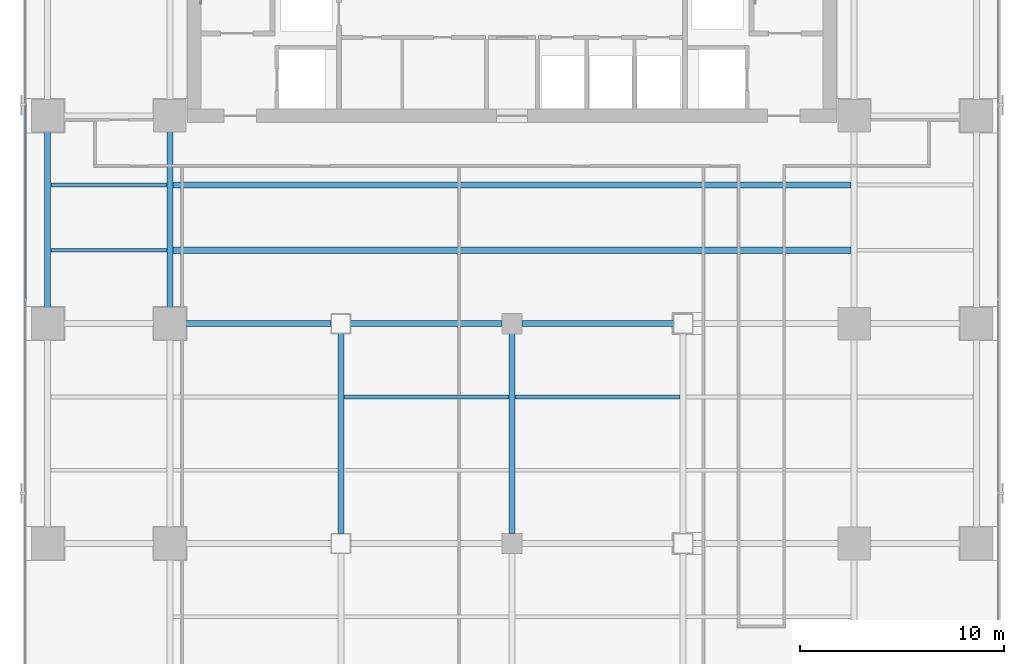
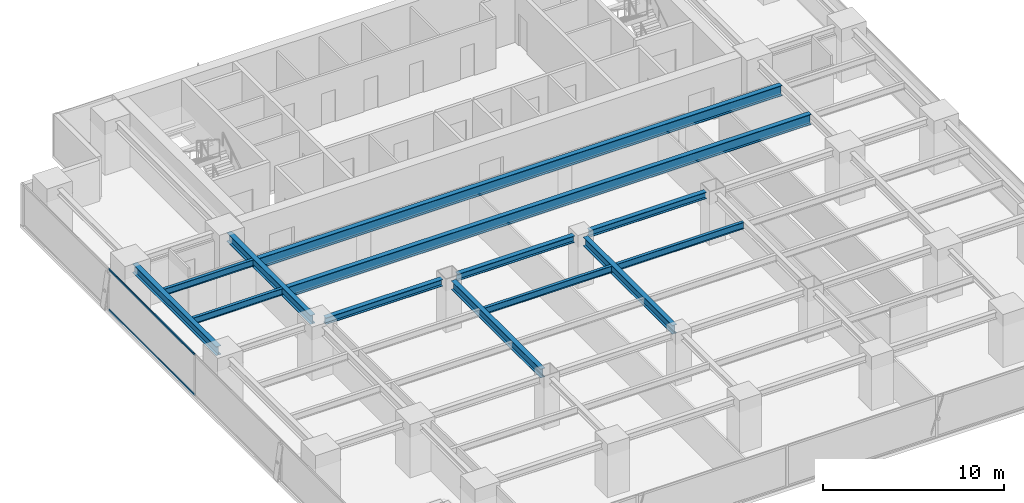
# One storey, part 8 of 27: 13 beams, 2 members, 1 element without a shape of its own.
"""IFC4 building model written with IfcOpenShell, lengths in metres."""

from ifc_helpers import new_model, si_unit, direction, frame, origin, origin_2d, place, context, subcontext, project, spatial, hollow_rectangle, i_section, extrude, source, transform, mapped, material, layer, layer_set, material_profile, profile_set, type_object, element, aggregate, save


model = new_model("IFC4")

# Units and contexts
model_context = context("Model", 3, precision=1e-05, world=origin(), true_north=direction((0.0, 1.0)))
body_context = subcontext(model_context, "Body", "Model", "MODEL_VIEW")
ifc_project = project(units=[si_unit("LENGTHUNIT", "METRE"), si_unit("AREAUNIT", "SQUARE_METRE"), si_unit("VOLUMEUNIT", "CUBIC_METRE"), si_unit("PLANEANGLEUNIT", "RADIAN"), si_unit("MASSUNIT", "GRAM", prefix="KILO")], contexts=[model_context])

# Site, building, storey
site_placement = place(None, origin())
site = spatial("IfcSite", under=ifc_project, at=site_placement, CompositionType="ELEMENT")
building_placement = place(site_placement, origin())
building = spatial("IfcBuilding", under=site, at=building_placement, Name="Sumidabori Civic Tower", CompositionType="ELEMENT")
storey_placement = place(building_placement, frame((0.0, 0.0, 138.800048828125)))
storey = spatial("IfcBuildingStorey", under=building, at=storey_placement, Name="L35", CompositionType="ELEMENT", Elevation=138.800048828125)

# Beams
ifc_material_1 = material(Name="Steel SN490", Category="steel")
ifc_material_profile_1 = material_profile(ifc_material_1, i_section(OverallWidth=0.300048828125, OverallDepth=0.60009765625, WebThickness=0.015380859375, FlangeThickness=0.030029296875, at=origin_2d()), Name="HE 600 B")
ifc_profile_set_1 = profile_set([ifc_material_profile_1], Name="Steel SN490")
beam_type_1 = type_object("IfcBeamType", Name="BM-GIRD-600", PredefinedType="BEAM", material=ifc_profile_set_1)
shared_shape_1 = source(origin(), body_context, "Body", "SweptSolid", [
    extrude(i_section(OverallWidth=0.300048828125, OverallDepth=0.60009765625, WebThickness=0.015380859375, FlangeThickness=0.030029296875, at=origin_2d()), origin(), (0.0, 0.0, 1.0), 9.840087890625),
])
for number, where, z_axis, x_axis, name in (
    (1, (-8.39990234375, -10.320068359375, 3.079833984375), (0.0, 1.0, 0.0), (-1.0, 0.0, 0.0), "Primary Girder L35 GY-27"),
    (2, (0.0, -10.320068359375, 3.079833984375), (0.0, 1.0, 0.0), (-1.0, 0.0, 0.0), "Primary Girder L35 GY-29"),
):
    element("IfcBeam", number, at=place(storey_placement, frame(where, z_axis=z_axis, x_axis=x_axis)), inside=storey, type_object=beam_type_1, Name=name, PredefinedType="BEAM", context=body_context, shape_type="MappedRepresentation", body=[
        mapped(shared_shape_1, transform((0.0, 0.0, 0.0), x_axis=(1.0, 0.0, 0.0), y_axis=(0.0, 1.0, 0.0), z_axis=(0.0, 0.0, 1.0), scale=1.0)),
    ])
shared_shape_2 = source(origin(), body_context, "Body", "SweptSolid", [
    extrude(i_section(OverallWidth=0.300048828125, OverallDepth=0.60009765625, WebThickness=0.015380859375, FlangeThickness=0.030029296875, at=origin_2d()), origin(), (0.0, 0.0, 1.0), 9.239990234375),
])
for number, where, z_axis, x_axis, name in (
    (3, (-22.800048828125, 0.47998046875, 3.079833984375), (0.0, 1.0, 0.0), (-1.0, 0.0, 0.0), "Primary Girder L35 GY-20"),
    (4, (-16.800048828125, 0.47998046875, 3.079833984375), (0.0, 1.0, 0.0), (-1.0, 0.0, 0.0), "Primary Girder L35 GY-24"),
):
    element("IfcBeam", number, at=place(storey_placement, frame(where, z_axis=z_axis, x_axis=x_axis)), inside=storey, type_object=beam_type_1, Name=name, PredefinedType="BEAM", context=body_context, shape_type="MappedRepresentation", body=[
        mapped(shared_shape_2, transform((0.0, 0.0, 0.0), x_axis=(1.0, 0.0, 0.0), y_axis=(0.0, 1.0, 0.0), z_axis=(0.0, 0.0, 1.0), scale=1.0)),
    ])
ifc_material_profile_2 = material_profile(ifc_material_1, i_section(OverallWidth=0.300048828125, OverallDepth=0.699951171875, WebThickness=0.01708984375, FlangeThickness=0.031982421875, at=origin_2d()), Name="HE 700 B")
ifc_profile_set_2 = profile_set([ifc_material_profile_2], Name="Steel SN490")
beam_type_2 = type_object("IfcBeamType", Name="BM-GIRD-700", PredefinedType="BEAM", material=ifc_profile_set_2)
shared_shape_3 = source(origin(), body_context, "Body", "SweptSolid", [
    extrude(i_section(OverallWidth=0.300048828125, OverallDepth=0.699951171875, WebThickness=0.01708984375, FlangeThickness=0.031982421875, at=origin_2d()), origin(), (0.0, 0.0, 1.0), 33.2998046875),
])
for number, where, z_axis, x_axis, name in (
    (5, (-16.64990234375, 3.60009765625, 3.030029296875), (1.0, 0.0, 0.0), (0.0, 1.0, 0.0), "North Bay Floor Beam L35 JSTN-47"),
    (6, (-16.64990234375, 6.800048828125, 3.030029296875), (1.0, 0.0, 0.0), (0.0, 1.0, 0.0), "North Bay Floor Beam L35 JSTN-48"),
):
    element("IfcBeam", number, at=place(storey_placement, frame(where, z_axis=z_axis, x_axis=x_axis)), inside=storey, type_object=beam_type_2, Name=name, PredefinedType="BEAM", context=body_context, shape_type="MappedRepresentation", body=[
        mapped(shared_shape_3, transform((0.0, 0.0, 0.0), x_axis=(1.0, 0.0, 0.0), y_axis=(0.0, 1.0, 0.0), z_axis=(0.0, 0.0, 1.0), scale=1.0)),
    ])
ifc_material_profile_3 = material_profile(ifc_material_1, i_section(OverallWidth=0.18994140625, OverallDepth=0.449951171875, WebThickness=0.009521484375, FlangeThickness=0.0146484375, at=origin_2d()), Name="IPE 450")
ifc_profile_set_3 = profile_set([ifc_material_profile_3], Name="Steel SN490")
beam_type_3 = type_object("IfcBeamType", Name="BM-JST-450", PredefinedType="JOIST", material=ifc_profile_set_3)
shared_shape_4 = source(origin(), body_context, "Body", "SweptSolid", [
    extrude(i_section(OverallWidth=0.18994140625, OverallDepth=0.449951171875, WebThickness=0.009521484375, FlangeThickness=0.0146484375, at=origin_2d()), origin(), (0.0, 0.0, 1.0), 5.699951171875),
])
for number, where, z_axis, x_axis, name in (
    (7, (-22.64990234375, 3.60009765625, 3.155029296875), (1.0, 0.0, 0.0), (0.0, 1.0, 0.0), "Outer Bay Floor Joist L35 JSTO-43"),
    (8, (-22.64990234375, 6.800048828125, 3.155029296875), (1.0, 0.0, 0.0), (0.0, 1.0, 0.0), "Outer Bay Floor Joist L35 JSTO-45"),
):
    element("IfcBeam", number, at=place(storey_placement, frame(where, z_axis=z_axis, x_axis=x_axis)), inside=storey, type_object=beam_type_3, Name=name, PredefinedType="JOIST", context=body_context, shape_type="MappedRepresentation", body=[
        mapped(shared_shape_4, transform((0.0, 0.0, 0.0), x_axis=(1.0, 0.0, 0.0), y_axis=(0.0, 1.0, 0.0), z_axis=(0.0, 0.0, 1.0), scale=1.0)),
    ])
shared_shape_5 = source(origin(), body_context, "Body", "SweptSolid", [
    extrude(i_section(OverallWidth=0.18994140625, OverallDepth=0.449951171875, WebThickness=0.009521484375, FlangeThickness=0.0146484375, at=origin_2d()), origin(), (0.0, 0.0, 1.0), 8.10009765625),
])
for number, where, z_axis, x_axis, name in (
    (9, (-8.25, -3.60009765625, 3.155029296875), (1.0, 0.0, 0.0), (0.0, 1.0, 0.0), "South Bay Floor Joist L35 JSTS-58"),
    (10, (0.14990234375, -3.60009765625, 3.155029296875), (1.0, 0.0, 0.0), (0.0, 1.0, 0.0), "South Bay Floor Joist L35 JSTS-59"),
):
    element("IfcBeam", number, at=place(storey_placement, frame(where, z_axis=z_axis, x_axis=x_axis)), inside=storey, type_object=beam_type_3, Name=name, PredefinedType="JOIST", context=body_context, shape_type="MappedRepresentation", body=[
        mapped(shared_shape_5, transform((0.0, 0.0, 0.0), x_axis=(1.0, 0.0, 0.0), y_axis=(0.0, 1.0, 0.0), z_axis=(0.0, 0.0, 1.0), scale=1.0)),
    ])
ifc_material_profile_4 = material_profile(ifc_material_1, i_section(OverallWidth=0.300048828125, OverallDepth=0.449951171875, WebThickness=0.013916015625, FlangeThickness=0.02587890625, at=origin_2d()), Name="HE 450 B")
ifc_profile_set_4 = profile_set([ifc_material_profile_4], Name="Steel SN490")
beam_type_4 = type_object("IfcBeamType", Name="BM-GIRD-450", PredefinedType="BEAM", material=ifc_profile_set_4)
shared_shape_6 = source(origin(), body_context, "Body", "SweptSolid", [
    extrude(i_section(OverallWidth=0.300048828125, OverallDepth=0.449951171875, WebThickness=0.013916015625, FlangeThickness=0.02587890625, at=origin_2d()), origin(), (0.0, 0.0, 1.0), 7.440185546875),
])
beam_placement = place(storey_placement, frame((-16.320068359375, 0.0, 3.155029296875), z_axis=(1.0, 0.0, 0.0), x_axis=(0.0, 1.0, 0.0)))
element("IfcBeam", 11, at=beam_placement, inside=storey, type_object=beam_type_4, Name="Primary Girder L35 GX-12", PredefinedType="BEAM", context=body_context, shape_type="MappedRepresentation", body=[
    mapped(shared_shape_6, transform((0.0, 0.0, 0.0), x_axis=(1.0, 0.0, 0.0), y_axis=(0.0, 1.0, 0.0), z_axis=(0.0, 0.0, 1.0), scale=1.0)),
])
shared_shape_7 = source(origin(), body_context, "Body", "SweptSolid", [
    extrude(i_section(OverallWidth=0.300048828125, OverallDepth=0.449951171875, WebThickness=0.013916015625, FlangeThickness=0.02587890625, at=origin_2d()), origin(), (0.0, 0.0, 1.0), 7.43994140625),
])
for number, where, z_axis, x_axis, name in (
    (12, (-7.919921875, 0.0, 3.155029296875), (1.0, 0.0, 0.0), (0.0, 1.0, 0.0), "Primary Girder L35 GX-13"),
    (13, (0.47998046875, 0.0, 3.155029296875), (1.0, 0.0, 0.0), (0.0, 1.0, 0.0), "Primary Girder L35 GX-14"),
):
    element("IfcBeam", number, at=place(storey_placement, frame(where, z_axis=z_axis, x_axis=x_axis)), inside=storey, type_object=beam_type_4, Name=name, PredefinedType="BEAM", context=body_context, shape_type="MappedRepresentation", body=[
        mapped(shared_shape_7, transform((0.0, 0.0, 0.0), x_axis=(1.0, 0.0, 0.0), y_axis=(0.0, 1.0, 0.0), z_axis=(0.0, 0.0, 1.0), scale=1.0)),
    ])

# Curtain wall, members
ifc_material_2 = material(Name="Anodised Bronze Aluminium AW-6063-T6", Category="aluminium")
ifc_layer = layer(ifc_material_2, 0.179931640625, Name="Anodised Bronze Aluminium AW-6063-T6")
ifc_layer_set = layer_set([ifc_layer], Name="Anodised Bronze Aluminium AW-6063-T6")
curtain_wall_type = type_object("IfcCurtainWallType", Name="CW-SYS-3", PredefinedType="NOTDEFINED", material=ifc_layer_set)
curtain_wall_placement = place(storey_placement, origin())
curtain_wall = element("IfcCurtainWall", 14, at=curtain_wall_placement, inside=storey, type_object=curtain_wall_type, Name="Curtain Wall CW:L35:R10", PredefinedType="NOTDEFINED")
ifc_material_profile_5 = material_profile(ifc_material_2, hollow_rectangle(XDim=0.06005859375, YDim=0.1298828125, WallThickness=0.0048828125, at=origin_2d()), Name="ALU TRANSOM 130x60")
ifc_profile_set_5 = profile_set([ifc_material_profile_5], Name="Anodised Bronze Aluminium AW-6063-T6")
member_type = type_object("IfcMemberType", Name="CW-TRN-130", PredefinedType="USERDEFINED", material=ifc_profile_set_5)
shared_shape_8 = source(origin(), body_context, "Body", "SweptSolid", [
    extrude(hollow_rectangle(XDim=0.06005859375, YDim=0.1298828125, WallThickness=0.0048828125, at=origin_2d()), origin(), (0.0, 0.0, 1.0), 9.469970703125),
])
member_1_placement = place(storey_placement, frame((-23.8798828125, 10.702392578125, 0.030029296875), z_axis=(0.0, -1.0, 0.0), x_axis=(1.0, 0.0, 0.0)))
member_1 = element("IfcMember", 15, at=member_1_placement, type_object=member_type, Name="CW-3 transom 2.1", ObjectType="TRANSOM", PredefinedType="USERDEFINED", context=body_context, shape_type="MappedRepresentation", body=[
    mapped(shared_shape_8, transform((0.0, 0.0, 0.0), x_axis=(1.0, 0.0, 0.0), y_axis=(0.0, 1.0, 0.0), z_axis=(0.0, 0.0, 1.0), scale=1.0)),
])
member_2_placement = place(storey_placement, frame((-23.8798828125, 10.702392578125, 2.72998046875), z_axis=(0.0, -1.0, 0.0), x_axis=(1.0, 0.0, 0.0)))
member_2 = element("IfcMember", 16, at=member_2_placement, type_object=member_type, Name="CW-3 transom 2.2", ObjectType="TRANSOM", PredefinedType="USERDEFINED", context=body_context, shape_type="MappedRepresentation", body=[
    mapped(shared_shape_8, transform((0.0, 0.0, 0.0), x_axis=(1.0, 0.0, 0.0), y_axis=(0.0, 1.0, 0.0), z_axis=(0.0, 0.0, 1.0), scale=1.0)),
])
aggregate(curtain_wall, [member_1, member_2])

save(model, "model.ifc")
